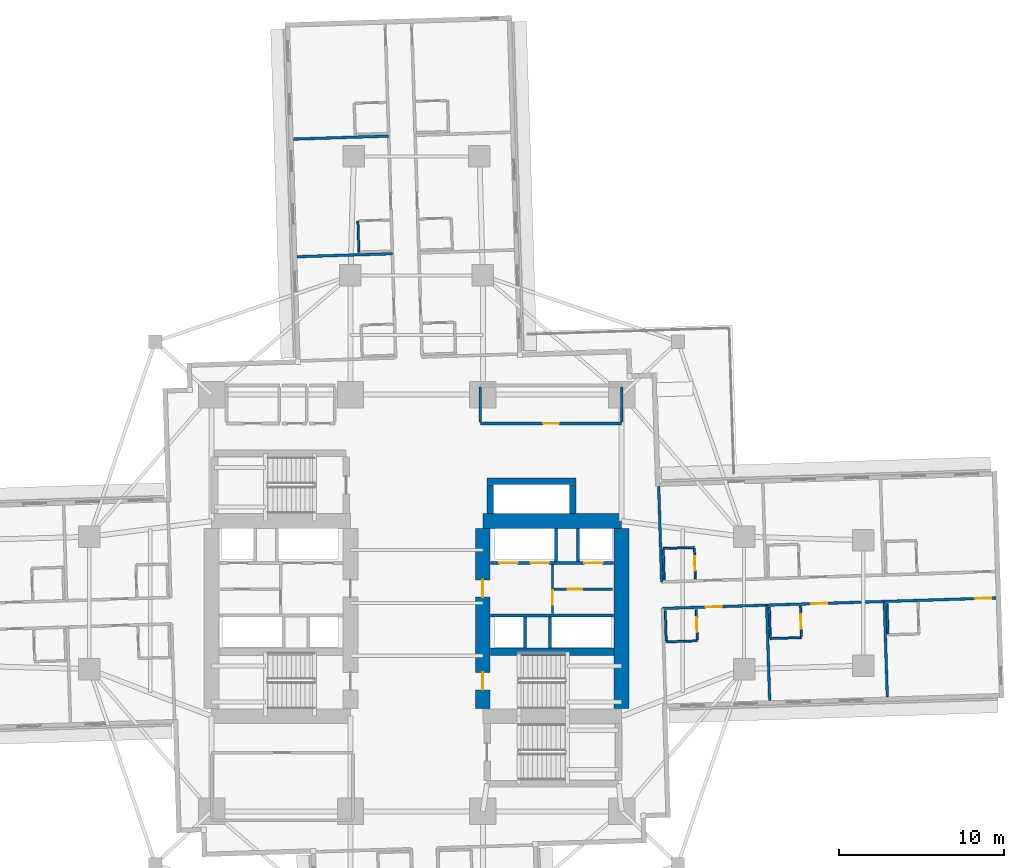
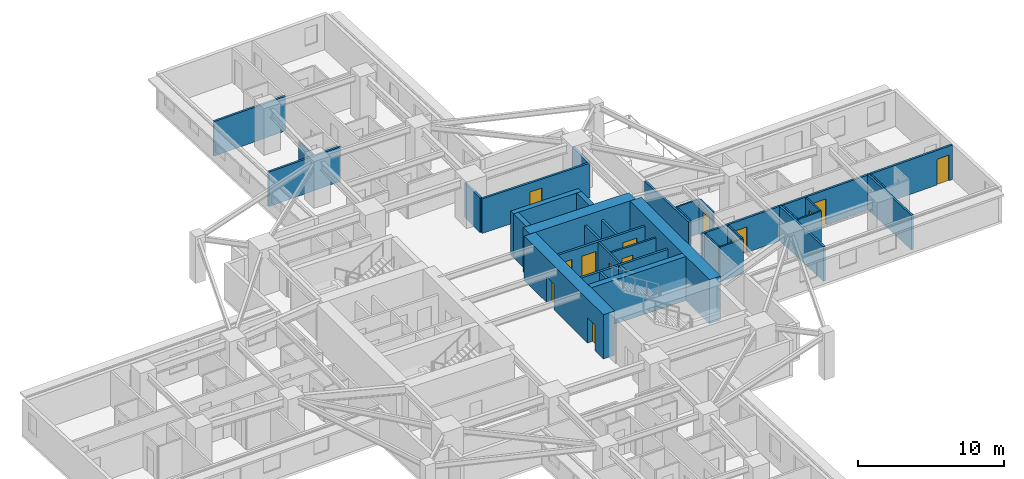
# One storey, part 7 of 15: 35 walls, 14 doors, 14 openings.
"""IFC4 building model written with IfcOpenShell, lengths in metres."""

from ifc_helpers import new_model, si_unit, direction, frame, frame_2d, origin, place, context, subcontext, project, spatial, rectangle, extrude, material, layer, layer_set, type_object, element, fill, save


model = new_model("IFC4")

# Units and contexts
model_context = context("Model", 3, precision=1e-05, world=origin(), true_north=direction((0.0, 1.0)))
body_context = subcontext(model_context, "Body", "Model", "MODEL_VIEW")
ifc_project = project(units=[si_unit("LENGTHUNIT", "METRE"), si_unit("AREAUNIT", "SQUARE_METRE"), si_unit("VOLUMEUNIT", "CUBIC_METRE"), si_unit("PLANEANGLEUNIT", "RADIAN"), si_unit("MASSUNIT", "GRAM", prefix="KILO")], contexts=[model_context])

# Site, building, storey
site_placement = place(None, origin())
site = spatial("IfcSite", under=ifc_project, at=site_placement, CompositionType="ELEMENT")
building_placement = place(site_placement, origin())
building = spatial("IfcBuilding", under=site, at=building_placement, Name="Qingluan Cross Belvedere", CompositionType="ELEMENT")
storey_placement = place(building_placement, frame((0.0, 0.0, 31.5)))
storey = spatial("IfcBuildingStorey", under=building, at=storey_placement, Name="L08", CompositionType="ELEMENT", Elevation=31.5)

# Walls
ifc_material_1 = material(Name="Concrete C50", Category="concrete")
ifc_layer_1 = layer(ifc_material_1, 0.449951171875, Name="CoreShearWall_450")
ifc_layer_set_1 = layer_set([ifc_layer_1], Name="Concrete C50")
wall_type_1 = type_object("IfcWallType", Name="CoreShearWall_450", PredefinedType="SHEAR", material=ifc_layer_set_1)
wall_1_placement = place(storey_placement, frame((4.455078125, -2.9599609375, 0.0), z_axis=(0.0, 0.0, 1.0), x_axis=(1.0, 0.0, 0.0)))
element("IfcWall", 1, at=wall_1_placement, inside=storey, type_object=wall_type_1, Name="Split core E shear wall L08-M", PredefinedType="SHEAR", context=body_context, shape_type="SweptSolid", body=[
    extrude(rectangle(XDim=7.489990234375, YDim=0.449951171875, at=frame_2d((3.7451171875, 0.0))), origin(), (0.0, 0.0, 1.0), 3.699951171875),
])
wall_2_placement = place(storey_placement, frame((4.449951171875, 5.405029296875, 0.0), z_axis=(0.0, 0.0, 1.0), x_axis=(0.0, 1.0, 0.0)))
element("IfcWall", 2, at=wall_2_placement, inside=storey, type_object=wall_type_1, Name="Express shuttle core wall L08-W", PredefinedType="SHEAR", context=body_context, shape_type="SweptSolid", body=[
    extrude(rectangle(XDim=1.73486328125, YDim=0.39990234375, at=frame_2d((0.867431640625, 0.0))), origin(), (0.0, 0.0, 1.0), 3.699951171875),
])
wall_3_placement = place(storey_placement, frame((4.25, 7.35009765625, 0.0), z_axis=(0.0, 0.0, 1.0), x_axis=(1.0, 0.0, 0.0)))
element("IfcWall", 3, at=wall_3_placement, inside=storey, type_object=wall_type_1, Name="Express shuttle core wall L08-N", PredefinedType="SHEAR", context=body_context, shape_type="SweptSolid", body=[
    extrude(rectangle(XDim=5.39990234375, YDim=0.39990234375, at=frame_2d((2.699951171875, 0.0))), origin(), (0.0, 0.0, 1.0), 3.699951171875),
])
wall_4_placement = place(storey_placement, frame((9.449951171875, 5.405029296875, 0.0), z_axis=(0.0, 0.0, 1.0), x_axis=(0.0, 1.0, 0.0)))
element("IfcWall", 4, at=wall_4_placement, inside=storey, type_object=wall_type_1, Name="Express shuttle core wall L08-E", PredefinedType="SHEAR", context=body_context, shape_type="SweptSolid", body=[
    extrude(rectangle(XDim=1.73486328125, YDim=0.39990234375, at=frame_2d((0.867431640625, 0.0))), origin(), (0.0, 0.0, 1.0), 3.699951171875),
])
ifc_material_2 = material(Name="Concrete C70", Category="concrete")
ifc_layer_2 = layer(ifc_material_2, 0.89990234375, Name="CoreShearWall_900")
ifc_layer_set_2 = layer_set([ifc_layer_2], Name="Concrete C70")
wall_type_2 = type_object("IfcWallType", Name="CoreShearWall_900", PredefinedType="SHEAR", material=ifc_layer_set_2)
wall_5_placement = place(storey_placement, frame((4.0, 4.949951171875, 0.0), z_axis=(0.0, 0.0, 1.0), x_axis=(1.0, 0.0, 0.0)))
element("IfcWall", 5, at=wall_5_placement, inside=storey, type_object=wall_type_2, Name="Split core E shear wall L08-N", PredefinedType="SHEAR", context=body_context, shape_type="SweptSolid", body=[
    extrude(rectangle(XDim=8.39990234375, YDim=0.89990234375, at=frame_2d((4.199951171875, 0.0))), origin(), (0.0, 0.0, 1.0), 3.699951171875),
])

# Wall, openings, doors
wall_6_placement = place(storey_placement, frame((4.0, -6.39501953125, 0.0), z_axis=(0.0, 0.0, 1.0), x_axis=(0.0, 1.0, 0.0)))
wall_6 = element("IfcWall", 6, at=wall_6_placement, inside=storey, type_object=wall_type_2, Name="Split core E shear wall L08-W", PredefinedType="SHEAR", context=body_context, shape_type="SweptSolid", body=[
    extrude(rectangle(XDim=10.89013671875, YDim=0.89990234375, at=frame_2d((5.445068359375, 0.0))), origin(), (0.0, 0.0, 1.0), 3.699951171875),
])
opening_1_placement = place(wall_6_placement, frame((1.14501953125, 0.0, 0.0)))
opening_1 = element("IfcOpeningElement", 7, at=opening_1_placement, cuts=wall_6, Name="Opening FD-B11", PredefinedType="OPENING", context=body_context, shape_type="SweptSolid", body=[
    extrude(rectangle(XDim=1.050048828125, YDim=2.14990234375, at=frame_2d((0.52490234375, 1.074951171875))), frame((0.0, 0.4599609375, 0.0), z_axis=(0.0, -1.0, 0.0), x_axis=(1.0, 0.0, 0.0)), (0.0, 0.0, 1.0), 0.919921875),
])
opening_2_placement = place(wall_6_placement, frame((6.7451171875, 0.0, 0.0)))
opening_2 = element("IfcOpeningElement", 8, at=opening_2_placement, cuts=wall_6, Name="Opening FD-B11", PredefinedType="OPENING", context=body_context, shape_type="SweptSolid", body=[
    extrude(rectangle(XDim=1.050048828125, YDim=2.14990234375, at=frame_2d((0.52490234375, 1.074951171875))), frame((0.0, 0.4599609375, 0.0), z_axis=(0.0, -1.0, 0.0), x_axis=(1.0, 0.0, 0.0)), (0.0, 0.0, 1.0), 0.919921875),
])
ifc_material_3 = material(Name="Steel Class B smoke-seal fire door", Category="steel")
door_type_1 = type_object("IfcDoorType", Name="StairLobbyFireDoor_FDB", OperationType="NOTDEFINED", PredefinedType="DOOR", material=ifc_material_3)
door_1_placement = place(opening_1_placement, origin())
door_1 = element("IfcDoor", 9, at=door_1_placement, inside=storey, type_object=door_type_1, Name="Smoke-proof stair ST2 fire door L08", OperationType="SINGLE_SWING_LEFT", OverallHeight=2.14990234375, OverallWidth=1.050048828125, PredefinedType="DOOR", context=body_context, shape_type="SweptSolid", body=[
    extrude(rectangle(XDim=1.050048828125, YDim=2.14990234375, at=frame_2d((0.52490234375, 1.074951171875))), frame((0.0, 0.02490234375, 0.0), z_axis=(0.0, -1.0, 0.0), x_axis=(1.0, 0.0, 0.0)), (0.0, 0.0, 1.0), 0.050048828125),
])
fill(opening_1, door_1)
door_2_placement = place(opening_2_placement, origin())
door_2 = element("IfcDoor", 10, at=door_2_placement, inside=storey, type_object=door_type_1, Name="Firefighting lobby East fire door L08", OperationType="SINGLE_SWING_LEFT", OverallHeight=2.14990234375, OverallWidth=1.050048828125, PredefinedType="DOOR", context=body_context, shape_type="SweptSolid", body=[
    extrude(rectangle(XDim=1.050048828125, YDim=2.14990234375, at=frame_2d((0.52490234375, 1.074951171875))), frame((0.0, 0.02490234375, 0.0), z_axis=(0.0, -1.0, 0.0), x_axis=(1.0, 0.0, 0.0)), (0.0, 0.0, 1.0), 0.050048828125),
])
fill(opening_2, door_2)

# Wall
wall_7_placement = place(storey_placement, frame((12.39990234375, -6.39501953125, 0.0), z_axis=(0.0, 0.0, 1.0), x_axis=(0.0, 1.0, 0.0)))
element("IfcWall", 11, at=wall_7_placement, inside=storey, type_object=wall_type_2, Name="Split core E shear wall L08-E", PredefinedType="SHEAR", context=body_context, shape_type="SweptSolid", body=[
    extrude(rectangle(XDim=10.89013671875, YDim=0.89990234375, at=frame_2d((5.445068359375, 0.0))), origin(), (0.0, 0.0, 1.0), 3.699951171875),
])

# Wall, opening, door
ifc_material_4 = material(Name="Gypsum plasterboard on steel stud acoustic partition", Category="steel")
ifc_layer_3 = layer(ifc_material_4, 0.159912109375, Name="CorridorPartition_160")
ifc_layer_set_3 = layer_set([ifc_layer_3], Name="Gypsum plasterboard on steel stud acoustic partition")
wall_type_3 = type_object("IfcWallType", Name="CorridorPartition_160", PredefinedType="PARTITIONING", material=ifc_layer_set_3)
wall_8_placement = place(storey_placement, frame((8.298095703125, 0.830078125, 0.0), z_axis=(0.0, 0.0, 1.0), x_axis=(1.0, 0.0, 0.0)))
wall_8 = element("IfcWall", 12, at=wall_8_placement, inside=storey, type_object=wall_type_3, Name="Partition L08:e", PredefinedType="PARTITIONING", context=body_context, shape_type="SweptSolid", body=[
    extrude(rectangle(XDim=3.552001953125, YDim=0.139892578125, at=frame_2d((1.77587890625, 0.0))), origin(), (0.0, 0.0, 1.0), 2.89990234375),
])
opening_3_placement = place(wall_8_placement, frame((0.85009765625, 0.0, 0.0)))
opening_3 = element("IfcOpeningElement", 13, at=opening_3_placement, cuts=wall_8, Name="Opening FD-B10", PredefinedType="OPENING", context=body_context, shape_type="SweptSolid", body=[
    extrude(rectangle(XDim=0.8798828125, YDim=2.10009765625, at=frame_2d((0.43994140625, 1.050048828125))), frame((0.0, 0.079833984375, 0.0), z_axis=(0.0, -1.0, 0.0), x_axis=(1.0, 0.0, 0.0)), (0.0, 0.0, 1.0), 0.159912109375),
])
ifc_material_5 = material(Name="Steel Class B service fire door", Category="steel")
door_type_2 = type_object("IfcDoorType", Name="RiserServiceFireDoor_FDB", OperationType="NOTDEFINED", PredefinedType="DOOR", material=ifc_material_5)
door_3_placement = place(opening_3_placement, origin())
door_3 = element("IfcDoor", 14, at=door_3_placement, inside=storey, type_object=door_type_2, Name="Service closet inner door L08", OperationType="SINGLE_SWING_LEFT", OverallHeight=2.10009765625, OverallWidth=0.8798828125, PredefinedType="DOOR", context=body_context, shape_type="SweptSolid", body=[
    extrude(rectangle(XDim=0.8798828125, YDim=2.10009765625, at=frame_2d((0.43994140625, 1.050048828125))), frame((0.0, 0.02490234375, 0.0), z_axis=(0.0, -1.0, 0.0), x_axis=(1.0, 0.0, 0.0)), (0.0, 0.0, 1.0), 0.050048828125),
])
fill(opening_3, door_3)

wall_9_placement = place(storey_placement, frame((3.85009765625, 10.85009765625, 0.0), z_axis=(0.0, 0.0, 1.0), x_axis=(1.0, 0.0, 0.0)))
wall_9 = element("IfcWall", 15, at=wall_9_placement, inside=storey, type_object=wall_type_3, Name="Partition L08:q_ne:S", PredefinedType="PARTITIONING", context=body_context, shape_type="SweptSolid", body=[
    extrude(rectangle(XDim=8.5498046875, YDim=0.159912109375, at=frame_2d((4.27490234375, 0.0))), origin(), (0.0, 0.0, 1.0), 2.89990234375),
])
opening_4_placement = place(wall_9_placement, frame((3.794921875, 0.0, 0.0)))
opening_4 = element("IfcOpeningElement", 16, at=opening_4_placement, cuts=wall_9, Name="Opening GD-10", PredefinedType="OPENING", context=body_context, shape_type="SweptSolid", body=[
    extrude(rectangle(XDim=0.9599609375, YDim=2.14990234375, at=frame_2d((0.47998046875, 1.074951171875))), frame((0.0, 0.08984375, 0.0), z_axis=(0.0, -1.0, 0.0), x_axis=(1.0, 0.0, 0.0)), (0.0, 0.0, 1.0), 0.179931640625),
])
ifc_material_6 = material(Name="Timber oak fire-rated acoustic guestroom door", Category="wood")
door_type_3 = type_object("IfcDoorType", Name="GuestEntryDoor_FD60", OperationType="NOTDEFINED", PredefinedType="DOOR", material=ifc_material_6)
door_4_placement = place(opening_4_placement, origin())
door_4 = element("IfcDoor", 17, at=door_4_placement, inside=storey, type_object=door_type_3, Name="Club reading lounge L08 door", OperationType="SINGLE_SWING_LEFT", OverallHeight=2.14990234375, OverallWidth=0.9599609375, PredefinedType="DOOR", context=body_context, shape_type="SweptSolid", body=[
    extrude(rectangle(XDim=0.9599609375, YDim=2.14990234375, at=frame_2d((0.47998046875, 1.074951171875))), frame((0.0, 0.02490234375, 0.0), z_axis=(0.0, -1.0, 0.0), x_axis=(1.0, 0.0, 0.0)), (0.0, 0.0, 1.0), 0.050048828125),
])
fill(opening_4, door_4)

# Walls
for number, where, z_axis, x_axis, name in (
    (18, (3.85009765625, 10.93505859375, 0.0), (0.0, 0.0, 1.0), (0.0, 1.0, 0.0), "Partition L08:q_ne:W"),
    (19, (12.39990234375, 10.93505859375, 0.0), (0.0, 0.0, 1.0), (0.0, 1.0, 0.0), "Partition L08:q_ne:E"),
):
    element("IfcWall", number, at=place(storey_placement, frame(where, z_axis=z_axis, x_axis=x_axis)), inside=storey, type_object=wall_type_3, Name=name, PredefinedType="PARTITIONING", context=body_context, shape_type="SweptSolid", body=[
        extrude(rectangle(XDim=2.1298828125, YDim=0.159912109375, at=frame_2d((1.06494140625, 0.0))), origin(), (0.0, 0.0, 1.0), 2.89990234375),
    ])
wall_10_placement = place(storey_placement, frame((14.8173828125, 1.26611328125, 0.0), z_axis=(0.0, 0.0, 1.0), x_axis=(-0.031385292484, 0.999507360361, 0.0)))
element("IfcWall", 20, at=wall_10_placement, inside=storey, type_object=wall_type_3, Name="Partition L08:E:s0", PredefinedType="PARTITIONING", context=body_context, shape_type="SweptSolid", body=[
    extrude(rectangle(XDim=5.77197265625, YDim=0.159912109375, at=frame_2d((2.885986328125, 0.0))), origin(), (0.0, 0.0, 1.0), 2.89990234375),
])

# Wall, openings, doors
wall_11_placement = place(storey_placement, frame((14.867919921875, -0.333251953125, 0.0), z_axis=(0.0, 0.0, 1.0), x_axis=(0.99950639469, 0.031416030536, 0.0)))
wall_11 = element("IfcWall", 21, at=wall_11_placement, inside=storey, type_object=wall_type_3, Name="Partition L08:E:c1", PredefinedType="PARTITIONING", context=body_context, shape_type="SweptSolid", body=[
    extrude(rectangle(XDim=20.181884765625, YDim=0.159912109375, at=frame_2d((10.0908203125, 0.0))), origin(), (0.0, 0.0, 1.0), 2.89990234375),
])
opening_5_placement = place(wall_11_placement, frame((2.610107421875, 0.0, 0.0)))
opening_5 = element("IfcOpeningElement", 22, at=opening_5_placement, cuts=wall_11, Name="Opening GD-10", PredefinedType="OPENING", context=body_context, shape_type="SweptSolid", body=[
    extrude(rectangle(XDim=0.9599609375, YDim=2.14990234375, at=frame_2d((0.47998046875, 1.074951171875))), frame((0.0, 0.08984375, 0.0), z_axis=(0.0, -1.0, 0.0), x_axis=(1.0, 0.0, 0.0)), (0.0, 0.0, 1.0), 0.179931640625),
])
opening_6_placement = place(wall_11_placement, frame((8.993896484375, 0.0, 0.0)))
opening_6 = element("IfcOpeningElement", 23, at=opening_6_placement, cuts=wall_11, Name="Opening GD-10", PredefinedType="OPENING", context=body_context, shape_type="SweptSolid", body=[
    extrude(rectangle(XDim=0.9599609375, YDim=2.14990234375, at=frame_2d((0.47998046875, 1.074951171875))), frame((0.0, 0.08984375, 0.0), z_axis=(0.0, -1.0, 0.0), x_axis=(1.0, 0.0, 0.0)), (0.0, 0.0, 1.0), 0.179931640625),
])
opening_7_placement = place(wall_11_placement, frame((18.929931640625, 0.0, 0.0)))
opening_7 = element("IfcOpeningElement", 24, at=opening_7_placement, cuts=wall_11, Name="Opening GD-10", PredefinedType="OPENING", context=body_context, shape_type="SweptSolid", body=[
    extrude(rectangle(XDim=0.9599609375, YDim=2.14990234375, at=frame_2d((0.47998046875, 1.074951171875))), frame((0.0, 0.08984375, 0.0), z_axis=(0.0, -1.0, 0.0), x_axis=(1.0, 0.0, 0.0)), (0.0, 0.0, 1.0), 0.179931640625),
])
door_5_placement = place(opening_5_placement, origin())
door_5 = element("IfcDoor", 25, at=door_5_placement, inside=storey, type_object=door_type_3, Name="Guest entry fire door 0804", OperationType="SINGLE_SWING_LEFT", OverallHeight=2.14990234375, OverallWidth=0.9599609375, PredefinedType="DOOR", context=body_context, shape_type="SweptSolid", body=[
    extrude(rectangle(XDim=0.9599609375, YDim=2.14990234375, at=frame_2d((0.47998046875, 1.074951171875))), frame((0.0, 0.02490234375, 0.0), z_axis=(0.0, -1.0, 0.0), x_axis=(1.0, 0.0, 0.0)), (0.0, 0.0, 1.0), 0.050048828125),
])
fill(opening_5, door_5)
door_6_placement = place(opening_6_placement, origin())
door_6 = element("IfcDoor", 26, at=door_6_placement, inside=storey, type_object=door_type_3, Name="Guest entry fire door 0805", OperationType="SINGLE_SWING_LEFT", OverallHeight=2.14990234375, OverallWidth=0.9599609375, PredefinedType="DOOR", context=body_context, shape_type="SweptSolid", body=[
    extrude(rectangle(XDim=0.9599609375, YDim=2.14990234375, at=frame_2d((0.47998046875, 1.074951171875))), frame((0.0, 0.02490234375, 0.0), z_axis=(0.0, -1.0, 0.0), x_axis=(1.0, 0.0, 0.0)), (0.0, 0.0, 1.0), 0.050048828125),
])
fill(opening_6, door_6)
door_7_placement = place(opening_7_placement, origin())
door_7 = element("IfcDoor", 27, at=door_7_placement, inside=storey, type_object=door_type_3, Name="Guest entry fire door 0806", OperationType="SINGLE_SWING_LEFT", OverallHeight=2.14990234375, OverallWidth=0.9599609375, PredefinedType="DOOR", context=body_context, shape_type="SweptSolid", body=[
    extrude(rectangle(XDim=0.9599609375, YDim=2.14990234375, at=frame_2d((0.47998046875, 1.074951171875))), frame((0.0, 0.02490234375, 0.0), z_axis=(0.0, -1.0, 0.0), x_axis=(1.0, 0.0, 0.0)), (0.0, 0.0, 1.0), 0.050048828125),
])
fill(opening_7, door_7)

# Walls
wall_12_placement = place(storey_placement, frame((21.166748046875, -0.13525390625, 0.0), z_axis=(0.0, 0.0, 1.0), x_axis=(0.031385292484, -0.999507360361, 0.0)))
element("IfcWall", 28, at=wall_12_placement, inside=storey, type_object=wall_type_3, Name="Partition L08:E:d1_0", PredefinedType="PARTITIONING", context=body_context, shape_type="SweptSolid", body=[
    extrude(rectangle(XDim=5.77197265625, YDim=0.159912109375, at=frame_2d((2.885986328125, 0.0))), origin(), (0.0, 0.0, 1.0), 2.89990234375),
])
wall_13_placement = place(storey_placement, frame((28.279296875, 0.08837890625, 0.0), z_axis=(0.0, 0.0, 1.0), x_axis=(0.031383965651, -0.999507402024, 0.0)))
element("IfcWall", 29, at=wall_13_placement, inside=storey, type_object=wall_type_3, Name="Partition L08:E:d1_1", PredefinedType="PARTITIONING", context=body_context, shape_type="SweptSolid", body=[
    extrude(rectangle(XDim=5.772216796875, YDim=0.159912109375, at=frame_2d((2.88623046875, 0.0))), origin(), (0.0, 0.0, 1.0), 2.89990234375),
])
wall_14_placement = place(storey_placement, frame((-1.464111328125, 21.116455078125, 0.0), z_axis=(0.0, 0.0, 1.0), x_axis=(-0.999506032581, -0.031427548972, 0.0)))
element("IfcWall", 30, at=wall_14_placement, inside=storey, type_object=wall_type_3, Name="Partition L08:N:d1_0", PredefinedType="PARTITIONING", context=body_context, shape_type="SweptSolid", body=[
    extrude(rectangle(XDim=5.77197265625, YDim=0.159912109375, at=frame_2d((2.885986328125, 0.0))), origin(), (0.0, 0.0, 1.0), 2.89990234375),
])
wall_15_placement = place(storey_placement, frame((-1.6875, 28.22900390625, 0.0), z_axis=(0.0, 0.0, 1.0), x_axis=(-0.999506074356, -0.031426220357, 0.0)))
element("IfcWall", 31, at=wall_15_placement, inside=storey, type_object=wall_type_3, Name="Partition L08:N:d1_1", PredefinedType="PARTITIONING", context=body_context, shape_type="SweptSolid", body=[
    extrude(rectangle(XDim=5.772216796875, YDim=0.159912109375, at=frame_2d((2.88623046875, 0.0))), origin(), (0.0, 0.0, 1.0), 2.89990234375),
])

# Wall, opening, door
ifc_material_7 = material(Name="Moisture-resistant gypsum board lining")
ifc_layer_4 = layer(ifc_material_7, 0.1201171875, Name="EnsuiteWetPartition_120")
ifc_layer_set_4 = layer_set([ifc_layer_4], Name="Moisture-resistant gypsum board lining")
wall_type_4 = type_object("IfcWallType", Name="EnsuiteWetPartition_120", PredefinedType="PARTITIONING", material=ifc_layer_set_4)
wall_16_placement = place(storey_placement, frame((16.85205078125, 1.47021484375, 0.0), z_axis=(0.0, 0.0, 1.0), x_axis=(-0.031389704724, 0.999507221803, 0.0)))
wall_16 = element("IfcWall", 32, at=wall_16_placement, inside=storey, type_object=wall_type_4, Name="Partition L08:E:bs0_0", PredefinedType="PARTITIONING", context=body_context, shape_type="SweptSolid", body=[
    extrude(rectangle(XDim=1.820068359375, YDim=0.1201171875, at=frame_2d((0.91015625, 0.0))), origin(), (0.0, 0.0, 1.0), 2.89990234375),
])
opening_8_placement = place(wall_16_placement, frame((0.469970703125, 0.0, 0.0)))
opening_8 = element("IfcOpeningElement", 33, at=opening_8_placement, cuts=wall_16, Name="Opening BD-09", PredefinedType="OPENING", context=body_context, shape_type="SweptSolid", body=[
    extrude(rectangle(XDim=0.8798828125, YDim=2.10009765625, at=frame_2d((0.43994140625, 1.050048828125))), frame((0.0, 0.070068359375, 0.0), z_axis=(0.0, -1.0, 0.0), x_axis=(1.0, 0.0, 0.0)), (0.0, 0.0, 1.0), 0.14013671875),
])
ifc_material_8 = material(Name="Moisture-sealed timber en-suite door", Category="wood")
door_type_4 = type_object("IfcDoorType", Name="BathroomDoor_880", OperationType="NOTDEFINED", PredefinedType="DOOR", material=ifc_material_8)
door_8_placement = place(opening_8_placement, origin())
door_8 = element("IfcDoor", 34, at=door_8_placement, inside=storey, type_object=door_type_4, Name="Bathroom door 0801", OperationType="SINGLE_SWING_RIGHT", OverallHeight=2.10009765625, OverallWidth=0.8798828125, PredefinedType="DOOR", context=body_context, shape_type="SweptSolid", body=[
    extrude(rectangle(XDim=0.8798828125, YDim=2.10009765625, at=frame_2d((0.43994140625, 1.050048828125))), frame((0.0, 0.02490234375, 0.0), z_axis=(0.0, -1.0, 0.0), x_axis=(1.0, 0.0, 0.0)), (0.0, 0.0, 1.0), 0.050048828125),
])
fill(opening_8, door_8)

# Walls
wall_17_placement = place(storey_placement, frame((14.97314453125, 1.410888671875, 0.0), z_axis=(0.0, 0.0, 1.0), x_axis=(-0.031389704724, 0.999507221803, 0.0)))
element("IfcWall", 35, at=wall_17_placement, inside=storey, type_object=wall_type_4, Name="Partition L08:E:bw0_0", PredefinedType="PARTITIONING", context=body_context, shape_type="SweptSolid", body=[
    extrude(rectangle(XDim=1.820068359375, YDim=0.1201171875, at=frame_2d((0.91015625, 0.0))), origin(), (0.0, 0.0, 1.0), 2.89990234375),
])
wall_18_placement = place(storey_placement, frame((14.913818359375, 3.295166015625, 0.0), z_axis=(0.0, 0.0, 1.0), x_axis=(0.999510173889, 0.031295563454, 0.0)))
element("IfcWall", 36, at=wall_18_placement, inside=storey, type_object=wall_type_4, Name="Partition L08:E:bn0_0", PredefinedType="PARTITIONING", context=body_context, shape_type="SweptSolid", body=[
    extrude(rectangle(XDim=1.880126953125, YDim=0.1201171875, at=frame_2d((0.93994140625, 0.0))), origin(), (0.0, 0.0, 1.0), 2.89990234375),
])

# Wall, opening, door
wall_19_placement = place(storey_placement, frame((16.968505859375, -2.22802734375, 0.0), z_axis=(0.0, 0.0, 1.0), x_axis=(-0.03152371574, 0.999503004171, 0.0)))
wall_19 = element("IfcWall", 37, at=wall_19_placement, inside=storey, type_object=wall_type_4, Name="Partition L08:E:bs1_0", PredefinedType="PARTITIONING", context=body_context, shape_type="SweptSolid", body=[
    extrude(rectangle(XDim=1.820068359375, YDim=0.1201171875, at=frame_2d((0.91015625, 0.0))), origin(), (0.0, 0.0, 1.0), 2.89990234375),
])
opening_9_placement = place(wall_19_placement, frame((0.469970703125, 0.0, 0.0)))
opening_9 = element("IfcOpeningElement", 38, at=opening_9_placement, cuts=wall_19, Name="Opening BD-09", PredefinedType="OPENING", context=body_context, shape_type="SweptSolid", body=[
    extrude(rectangle(XDim=0.8798828125, YDim=2.10009765625, at=frame_2d((0.43994140625, 1.050048828125))), frame((0.0, 0.070068359375, 0.0), z_axis=(0.0, -1.0, 0.0), x_axis=(1.0, 0.0, 0.0)), (0.0, 0.0, 1.0), 0.14013671875),
])
door_9_placement = place(opening_9_placement, origin())
door_9 = element("IfcDoor", 39, at=door_9_placement, inside=storey, type_object=door_type_4, Name="Bathroom door 0804", OperationType="SINGLE_SWING_RIGHT", OverallHeight=2.10009765625, OverallWidth=0.8798828125, PredefinedType="DOOR", context=body_context, shape_type="SweptSolid", body=[
    extrude(rectangle(XDim=0.8798828125, YDim=2.10009765625, at=frame_2d((0.43994140625, 1.050048828125))), frame((0.0, 0.02490234375, 0.0), z_axis=(0.0, -1.0, 0.0), x_axis=(1.0, 0.0, 0.0)), (0.0, 0.0, 1.0), 0.050048828125),
])
fill(opening_9, door_9)

# Walls
wall_20_placement = place(storey_placement, frame((15.08935546875, -2.287109375, 0.0), z_axis=(0.0, 0.0, 1.0), x_axis=(-0.03152371574, 0.999503004171, 0.0)))
element("IfcWall", 40, at=wall_20_placement, inside=storey, type_object=wall_type_4, Name="Partition L08:E:bw1_0", PredefinedType="PARTITIONING", context=body_context, shape_type="SweptSolid", body=[
    extrude(rectangle(XDim=1.820068359375, YDim=0.1201171875, at=frame_2d((0.91015625, 0.0))), origin(), (0.0, 0.0, 1.0), 2.89990234375),
])
wall_21_placement = place(storey_placement, frame((15.09130859375, -2.35205078125, 0.0), z_axis=(0.0, 0.0, 1.0), x_axis=(0.999510173889, 0.031295563454, 0.0)))
element("IfcWall", 41, at=wall_21_placement, inside=storey, type_object=wall_type_4, Name="Partition L08:E:bc1_0", PredefinedType="PARTITIONING", context=body_context, shape_type="SweptSolid", body=[
    extrude(rectangle(XDim=1.880126953125, YDim=0.1201171875, at=frame_2d((0.93994140625, 0.0))), origin(), (0.0, 0.0, 1.0), 2.89990234375),
])

# Wall, opening, door
wall_22_placement = place(storey_placement, frame((23.26708984375, -2.0302734375, 0.0), z_axis=(0.0, 0.0, 1.0), x_axis=(-0.031255692016, 0.999511421504, 0.0)))
wall_22 = element("IfcWall", 42, at=wall_22_placement, inside=storey, type_object=wall_type_4, Name="Partition L08:E:bs1_1", PredefinedType="PARTITIONING", context=body_context, shape_type="SweptSolid", body=[
    extrude(rectangle(XDim=1.820068359375, YDim=0.1201171875, at=frame_2d((0.91015625, 0.0))), origin(), (0.0, 0.0, 1.0), 2.89990234375),
])
opening_10_placement = place(wall_22_placement, frame((0.469970703125, 0.0, 0.0)))
opening_10 = element("IfcOpeningElement", 43, at=opening_10_placement, cuts=wall_22, Name="Opening BD-09", PredefinedType="OPENING", context=body_context, shape_type="SweptSolid", body=[
    extrude(rectangle(XDim=0.8798828125, YDim=2.10009765625, at=frame_2d((0.43994140625, 1.050048828125))), frame((0.0, 0.070068359375, 0.0), z_axis=(0.0, -1.0, 0.0), x_axis=(1.0, 0.0, 0.0)), (0.0, 0.0, 1.0), 0.14013671875),
])
door_10_placement = place(opening_10_placement, origin())
door_10 = element("IfcDoor", 44, at=door_10_placement, inside=storey, type_object=door_type_4, Name="Bathroom door 0805", OperationType="SINGLE_SWING_RIGHT", OverallHeight=2.10009765625, OverallWidth=0.8798828125, PredefinedType="DOOR", context=body_context, shape_type="SweptSolid", body=[
    extrude(rectangle(XDim=0.8798828125, YDim=2.10009765625, at=frame_2d((0.43994140625, 1.050048828125))), frame((0.0, 0.02490234375, 0.0), z_axis=(0.0, -1.0, 0.0), x_axis=(1.0, 0.0, 0.0)), (0.0, 0.0, 1.0), 0.050048828125),
])
fill(opening_10, door_10)

# Walls
wall_23_placement = place(storey_placement, frame((21.38818359375, -2.089111328125, 0.0), z_axis=(0.0, 0.0, 1.0), x_axis=(-0.031389704724, 0.999507221803, 0.0)))
element("IfcWall", 45, at=wall_23_placement, inside=storey, type_object=wall_type_4, Name="Partition L08:E:bw1_1", PredefinedType="PARTITIONING", context=body_context, shape_type="SweptSolid", body=[
    extrude(rectangle(XDim=1.820068359375, YDim=0.1201171875, at=frame_2d((0.91015625, 0.0))), origin(), (0.0, 0.0, 1.0), 2.89990234375),
])
wall_24_placement = place(storey_placement, frame((21.39013671875, -2.154296875, 0.0), z_axis=(0.0, 0.0, 1.0), x_axis=(0.999506103526, 0.031425292588, 0.0)))
element("IfcWall", 46, at=wall_24_placement, inside=storey, type_object=wall_type_4, Name="Partition L08:E:bc1_1", PredefinedType="PARTITIONING", context=body_context, shape_type="SweptSolid", body=[
    extrude(rectangle(XDim=1.880126953125, YDim=0.1201171875, at=frame_2d((0.93994140625, 0.0))), origin(), (0.0, 0.0, 1.0), 2.89990234375),
])
wall_25_placement = place(storey_placement, frame((28.500732421875, -1.86572265625, 0.0), z_axis=(0.0, 0.0, 1.0), x_axis=(-0.031389704724, 0.999507221803, 0.0)))
element("IfcWall", 47, at=wall_25_placement, inside=storey, type_object=wall_type_4, Name="Partition L08:E:bw1_2", PredefinedType="PARTITIONING", context=body_context, shape_type="SweptSolid", body=[
    extrude(rectangle(XDim=1.820068359375, YDim=0.1201171875, at=frame_2d((0.91015625, 0.0))), origin(), (0.0, 0.0, 1.0), 2.89990234375),
])
wall_26_placement = place(storey_placement, frame((-3.492919921875, 21.212646484375, 0.0), z_axis=(0.0, 0.0, 1.0), x_axis=(-0.031425292588, 0.999506103526, 0.0)))
element("IfcWall", 48, at=wall_26_placement, inside=storey, type_object=wall_type_4, Name="Partition L08:N:bc1_1", PredefinedType="PARTITIONING", context=body_context, shape_type="SweptSolid", body=[
    extrude(rectangle(XDim=1.880126953125, YDim=0.1201171875, at=frame_2d((0.93994140625, 0.0))), origin(), (0.0, 0.0, 1.0), 2.89990234375),
])

# Wall, openings, doors
ifc_material_9 = material(Name="Concrete C40", Category="concrete")
ifc_layer_5 = layer(ifc_material_9, 0.219970703125, Name="ShaftEnclosureWall_250")
ifc_layer_set_5 = layer_set([ifc_layer_5], Name="Concrete C40")
wall_type_5 = type_object("IfcWallType", Name="ShaftEnclosureWall_250", PredefinedType="SOLIDWALL", material=ifc_layer_set_5)
wall_27_placement = place(storey_placement, frame((4.47998046875, 2.409912109375, 0.0), z_axis=(0.0, 0.0, 1.0), x_axis=(1.0, 0.0, 0.0)))
wall_27 = element("IfcWall", 49, at=wall_27_placement, inside=storey, type_object=wall_type_5, Name="Core-E north hoistway wall L08", PredefinedType="SOLIDWALL", context=body_context, shape_type="SweptSolid", body=[
    extrude(rectangle(XDim=7.419921875, YDim=0.179931640625, at=frame_2d((3.7099609375, 0.0))), origin(), (0.0, 0.0, 1.0), 2.89990234375),
])
opening_11_placement = place(wall_27_placement, frame((5.669921875, 0.0, 0.0)))
opening_11 = element("IfcOpeningElement", 50, at=opening_11_placement, cuts=wall_27, Name="Opening LD-11", PredefinedType="OPENING", context=body_context, shape_type="SweptSolid", body=[
    extrude(rectangle(XDim=1.10009765625, YDim=2.14990234375, at=frame_2d((0.550048828125, 1.074951171875))), frame((0.0, 0.099853515625, 0.0), z_axis=(0.0, -1.0, 0.0), x_axis=(1.0, 0.0, 0.0)), (0.0, 0.0, 1.0), 0.199951171875),
])
opening_12_placement = place(wall_27_placement, frame((0.52001953125, 0.0, 0.0)))
opening_12 = element("IfcOpeningElement", 51, at=opening_12_placement, cuts=wall_27, Name="Opening LD-11", PredefinedType="OPENING", context=body_context, shape_type="SweptSolid", body=[
    extrude(rectangle(XDim=1.10009765625, YDim=2.14990234375, at=frame_2d((0.550048828125, 1.074951171875))), frame((0.0, 0.099853515625, 0.0), z_axis=(0.0, -1.0, 0.0), x_axis=(1.0, 0.0, 0.0)), (0.0, 0.0, 1.0), 0.199951171875),
])
opening_13_placement = place(wall_27_placement, frame((2.419921875, 0.0, 0.0)))
opening_13 = element("IfcOpeningElement", 52, at=opening_13_placement, cuts=wall_27, Name="Opening LD-11", PredefinedType="OPENING", context=body_context, shape_type="SweptSolid", body=[
    extrude(rectangle(XDim=1.10009765625, YDim=2.14990234375, at=frame_2d((0.550048828125, 1.074951171875))), frame((0.0, 0.099853515625, 0.0), z_axis=(0.0, -1.0, 0.0), x_axis=(1.0, 0.0, 0.0)), (0.0, 0.0, 1.0), 0.199951171875),
])
ifc_material_10 = material(Name="Brushed stainless steel centre-opening lift landing door", Category="steel")
door_type_5 = type_object("IfcDoorType", Name="LiftLandingSlidingDoor_1100", OperationType="DOUBLE_DOOR_SLIDING", PredefinedType="DOOR", material=ifc_material_10)
door_11_placement = place(opening_11_placement, origin())
door_11 = element("IfcDoor", 53, at=door_11_placement, inside=storey, type_object=door_type_5, Name="Lift landing sliding door FL2 L08", OperationType="DOUBLE_DOOR_SLIDING", OverallHeight=2.14990234375, OverallWidth=1.10009765625, PredefinedType="DOOR", context=body_context, shape_type="SweptSolid", body=[
    extrude(rectangle(XDim=1.10009765625, YDim=2.14990234375, at=frame_2d((0.550048828125, 1.074951171875))), frame((0.0, 0.02490234375, 0.0), z_axis=(0.0, -1.0, 0.0), x_axis=(1.0, 0.0, 0.0)), (0.0, 0.0, 1.0), 0.050048828125),
])
fill(opening_11, door_11)
door_12_placement = place(opening_12_placement, origin())
door_12 = element("IfcDoor", 54, at=door_12_placement, inside=storey, type_object=door_type_5, Name="Lift landing sliding door LP3 L08", OperationType="DOUBLE_DOOR_SLIDING", OverallHeight=2.14990234375, OverallWidth=1.10009765625, PredefinedType="DOOR", context=body_context, shape_type="SweptSolid", body=[
    extrude(rectangle(XDim=1.10009765625, YDim=2.14990234375, at=frame_2d((0.550048828125, 1.074951171875))), frame((0.0, 0.02490234375, 0.0), z_axis=(0.0, -1.0, 0.0), x_axis=(1.0, 0.0, 0.0)), (0.0, 0.0, 1.0), 0.050048828125),
])
fill(opening_12, door_12)
door_13_placement = place(opening_13_placement, origin())
door_13 = element("IfcDoor", 55, at=door_13_placement, inside=storey, type_object=door_type_5, Name="Lift landing sliding door LP4 L08", OperationType="DOUBLE_DOOR_SLIDING", OverallHeight=2.14990234375, OverallWidth=1.10009765625, PredefinedType="DOOR", context=body_context, shape_type="SweptSolid", body=[
    extrude(rectangle(XDim=1.10009765625, YDim=2.14990234375, at=frame_2d((0.550048828125, 1.074951171875))), frame((0.0, 0.02490234375, 0.0), z_axis=(0.0, -1.0, 0.0), x_axis=(1.0, 0.0, 0.0)), (0.0, 0.0, 1.0), 0.050048828125),
])
fill(opening_13, door_13)

# Walls
wall_28_placement = place(storey_placement, frame((4.47998046875, -0.75, 0.0), z_axis=(0.0, 0.0, 1.0), x_axis=(1.0, 0.0, 0.0)))
element("IfcWall", 56, at=wall_28_placement, inside=storey, type_object=wall_type_5, Name="Core-E mid hoistway wall L08", PredefinedType="SOLIDWALL", context=body_context, shape_type="SweptSolid", body=[
    extrude(rectangle(XDim=7.419921875, YDim=0.179931640625, at=frame_2d((3.7099609375, 0.0))), origin(), (0.0, 0.0, 1.0), 2.89990234375),
])
for number, where, z_axis, x_axis, name in (
    (57, (8.43994140625, 2.5, 0.0), (0.0, 0.0, 1.0), (0.0, 1.0, 0.0), "Hoistway enclosure divider LP4E L08"),
    (58, (9.760009765625, 2.5, 0.0), (0.0, 0.0, 1.0), (0.0, 1.0, 0.0), "Hoistway enclosure divider FL2W L08"),
):
    element("IfcWall", number, at=place(storey_placement, frame(where, z_axis=z_axis, x_axis=x_axis)), inside=storey, type_object=wall_type_5, Name=name, PredefinedType="SOLIDWALL", context=body_context, shape_type="SweptSolid", body=[
        extrude(rectangle(XDim=1.989990234375, YDim=0.179931640625, at=frame_2d((0.9951171875, 0.0))), origin(), (0.0, 0.0, 1.0), 2.89990234375),
    ])
for number, where, z_axis, x_axis, name in (
    (59, (6.5400390625, -2.72998046875, 0.0), (0.0, 0.0, 1.0), (0.0, 1.0, 0.0), "Hoistway enclosure divider LP7E L08"),
    (60, (8.06005859375, -2.72998046875, 0.0), (0.0, 0.0, 1.0), (0.0, 1.0, 0.0), "Hoistway enclosure divider LP9W L08"),
):
    element("IfcWall", number, at=place(storey_placement, frame(where, z_axis=z_axis, x_axis=x_axis)), inside=storey, type_object=wall_type_5, Name=name, PredefinedType="SOLIDWALL", context=body_context, shape_type="SweptSolid", body=[
        extrude(rectangle(XDim=1.889892578125, YDim=0.179931640625, at=frame_2d((0.94482421875, 0.0))), origin(), (0.0, 0.0, 1.0), 2.89990234375),
    ])

# Wall, opening, door
wall_29_placement = place(storey_placement, frame((8.219970703125, -0.64990234375, 0.0), z_axis=(0.0, 0.0, 1.0), x_axis=(0.0, 1.0, 0.0)))
wall_29 = element("IfcWall", 61, at=wall_29_placement, inside=storey, type_object=wall_type_5, Name="Core-E service corridor wall L08", PredefinedType="SOLIDWALL", context=body_context, shape_type="SweptSolid", body=[
    extrude(rectangle(XDim=2.9599609375, YDim=0.139892578125, at=frame_2d((1.47998046875, 0.0))), origin(), (0.0, 0.0, 1.0), 2.89990234375),
])
opening_14_placement = place(wall_29_placement, frame((0.550048828125, 0.0, 0.0)))
opening_14 = element("IfcOpeningElement", 62, at=opening_14_placement, cuts=wall_29, Name="Opening FD-B10", PredefinedType="OPENING", context=body_context, shape_type="SweptSolid", body=[
    extrude(rectangle(XDim=0.8798828125, YDim=2.10009765625, at=frame_2d((0.43994140625, 1.050048828125))), frame((0.0, 0.079833984375, 0.0), z_axis=(0.0, -1.0, 0.0), x_axis=(1.0, 0.0, 0.0)), (0.0, 0.0, 1.0), 0.159912109375),
])
door_14_placement = place(opening_14_placement, origin())
door_14 = element("IfcDoor", 63, at=door_14_placement, inside=storey, type_object=door_type_2, Name="Core-E service room door L08", OperationType="SINGLE_SWING_LEFT", OverallHeight=2.10009765625, OverallWidth=0.8798828125, PredefinedType="DOOR", context=body_context, shape_type="SweptSolid", body=[
    extrude(rectangle(XDim=0.8798828125, YDim=2.10009765625, at=frame_2d((0.43994140625, 1.050048828125))), frame((0.0, 0.02490234375, 0.0), z_axis=(0.0, -1.0, 0.0), x_axis=(1.0, 0.0, 0.0)), (0.0, 0.0, 1.0), 0.050048828125),
])
fill(opening_14, door_14)

save(model, "model.ifc")
